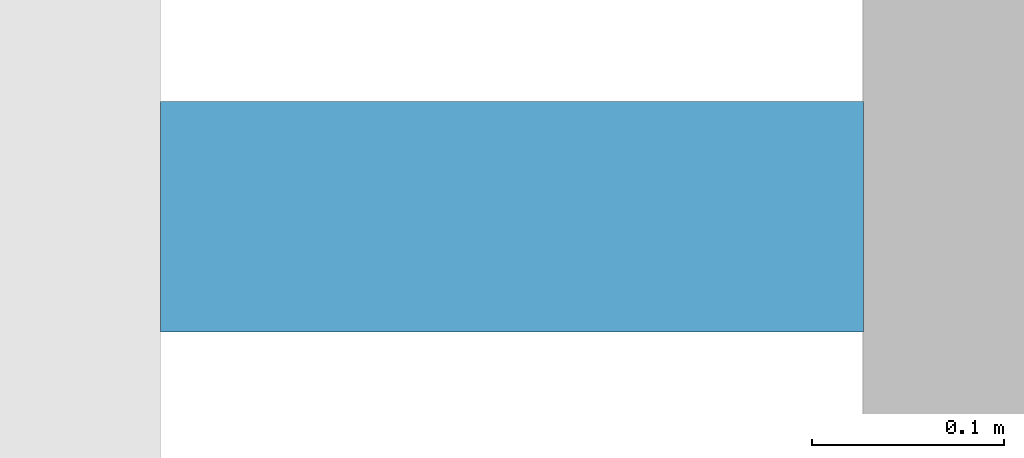
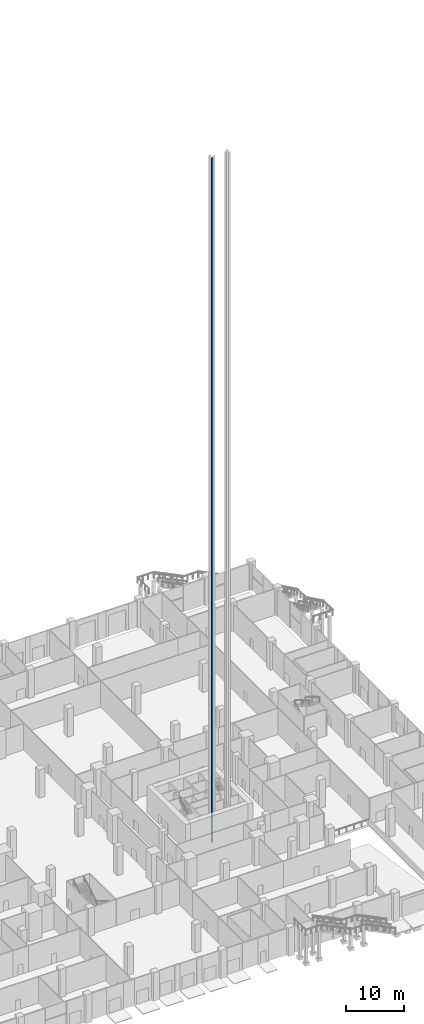
# One storey, part 52 of 68: 1 discrete accessory.
"""IFC4 building model written with IfcOpenShell, lengths in metres."""

import ifcopenshell
import ifcopenshell.guid

model = None  # the IFC model being written
_history = None  # IfcOwnerHistory: only IFC2X3 demands one
_inside = {}  # id of a spatial element -> (the spatial element, [elements in it])
_under = {}  # id of a project, library or spatial element -> (it, [spatial elements below it])
_declared = {}  # id of a project -> (the project, [libraries it declares])
_typed = {}  # id of a type object -> (the type object, [elements of that type])
_made_of = {}  # id of a material, layer set ... -> (it, [elements and type objects made of it])


def new_model(schema):
    """Start an empty IFC model of exactly this schema.

    Asked for "IFC4X3", IfcOpenShell would pick the latest addendum, in which some entities
    have other attributes; the version numbers below select the first issue.
    IFC2X3 requires an IfcOwnerHistory on every rooted entity: one is made here for all.
    """
    global model, _history
    if schema == "IFC4X3":
        model = ifcopenshell.file(schema_version=(4, 3, 0, 0))
    else:
        model = ifcopenshell.file(schema=schema)
    _inside.clear()
    _under.clear()
    _declared.clear()
    _typed.clear()
    _made_of.clear()
    _history = None
    if model.schema == "IFC2X3":
        org = make("IfcOrganization", Name="unknown")
        user = make(
            "IfcPersonAndOrganization",
            ThePerson=make("IfcPerson", FamilyName="unknown"),
            TheOrganization=org,
        )
        app = make(
            "IfcApplication",
            ApplicationDeveloper=org,
            Version="unknown",
            ApplicationFullName="unknown",
            ApplicationIdentifier="unknown",
        )
        _history = make(
            "IfcOwnerHistory",
            OwningUser=user,
            OwningApplication=app,
            ChangeAction="ADDED",
            CreationDate=0,
        )
    return model


def make(cls, **values):
    """One entity of the class cls with the attributes given. An attribute that is None is left unset."""
    return model.create_entity(
        cls, **{name: value for name, value in values.items() if value is not None}
    )


def rooted(cls, **values):
    """An entity with a GlobalId (a new one), such as an element, a storey or a relation."""
    return make(cls, GlobalId=ifcopenshell.guid.new(), OwnerHistory=_history, **values)


def si_unit(unit_type, name, prefix=None):
    """IfcSIUnit, for example si_unit("LENGTHUNIT", "METRE", prefix="MILLI")."""
    return make("IfcSIUnit", UnitType=unit_type, Prefix=prefix, Name=name)


def assignment(units):
    """IfcUnitAssignment: the units of a project."""
    return None if units is None else make("IfcUnitAssignment", Units=units)


def point(xyz):
    """IfcCartesianPoint."""
    return None if xyz is None else make("IfcCartesianPoint", Coordinates=xyz)


def direction(xyz):
    """IfcDirection."""
    return None if xyz is None else make("IfcDirection", DirectionRatios=xyz)


def frame(location, z_axis=None, x_axis=None):
    """IfcAxis2Placement3D, a coordinate frame: its origin and axes. An axis left out is left unset."""
    return make(
        "IfcAxis2Placement3D",
        Location=point(location),
        Axis=direction(z_axis),
        RefDirection=direction(x_axis),
    )


def frame_2d(location, x_axis=None):
    """IfcAxis2Placement2D, a coordinate frame in the plane: its origin and x axis."""
    return make(
        "IfcAxis2Placement2D", Location=point(location), RefDirection=direction(x_axis)
    )


def origin():
    """The frame at (0, 0, 0) with its axes left unset."""
    return frame((0.0, 0.0, 0.0))


def origin_2d():
    """The frame at (0, 0) in the plane with its x axis left unset."""
    return frame_2d((0.0, 0.0))


def place(relative_to, where):
    """IfcLocalPlacement: puts the frame where relative to a parent placement (None: the world)."""
    return make(
        "IfcLocalPlacement", PlacementRelTo=relative_to, RelativePlacement=where
    )


def context(
    kind, dimensions, precision=None, world=None, true_north=None, identifier=None
):
    """IfcGeometricRepresentationContext, for example the 3D "Model" context."""
    return make(
        "IfcGeometricRepresentationContext",
        ContextIdentifier=identifier,
        ContextType=kind,
        CoordinateSpaceDimension=dimensions,
        Precision=precision,
        WorldCoordinateSystem=world,
        TrueNorth=true_north,
    )


def subcontext(parent, identifier, kind, view, scale=None):
    """IfcGeometricRepresentationSubContext, for example "Body" below "Model"."""
    return make(
        "IfcGeometricRepresentationSubContext",
        ContextIdentifier=identifier,
        ContextType=kind,
        ParentContext=parent,
        TargetScale=scale,
        TargetView=view,
    )


def project(units=None, contexts=None):
    """IfcProject with its units and contexts."""
    return rooted(
        "IfcProject",
        Name="project",
        RepresentationContexts=contexts,
        UnitsInContext=assignment(units),
    )


def spatial(cls, under=None, at=None, **own):
    """A site, building, storey or space (cls), placed at a placement, below another one or the project."""
    s = rooted(cls, ObjectPlacement=at, **own)
    if under is not None:
        _under.setdefault(under.id(), (under, []))[1].append(s)
    return s


def profile(cls, at=None, kind="AREA", **sizes):
    """A parametric profile (cls). Its sizes go by their IFC names, for example OverallWidth=200.0."""
    return make(cls, ProfileType=kind, Position=at, **sizes)


def rectangle(**sizes):
    """IfcRectangleProfileDef."""
    return profile("IfcRectangleProfileDef", **sizes)


def extrude(swept, where, along, depth):
    """IfcExtrudedAreaSolid: the profile swept, set in the frame where, extruded along a direction by depth."""
    return make(
        "IfcExtrudedAreaSolid",
        SweptArea=swept,
        Position=where,
        ExtrudedDirection=direction(along),
        Depth=depth,
    )


def shape(context_of_items, identifier, shape_type, items):
    """IfcShapeRepresentation: the items that make up one representation, for example the "Body"."""
    return make(
        "IfcShapeRepresentation",
        ContextOfItems=context_of_items,
        RepresentationIdentifier=identifier,
        RepresentationType=shape_type,
        Items=items,
    )


def made_of(thing, what):
    """Note that an element or type object is made of a material, layer set ...; save() writes the relation."""
    if what is not None:
        _made_of.setdefault(what.id(), (what, []))[1].append(thing)
    return thing


def element(
    cls,
    number,
    at=None,
    inside=None,
    cuts=None,
    type_object=None,
    material=None,
    context=None,
    identifier="Body",
    shape_type=None,
    held_by="IfcProductDefinitionShape",
    body=None,
    shapes=None,
    **own,
):
    """One element of the class cls, such as IfcWall. Its Tag is "e" and its number.

    at: its placement. inside: the storey or other place that contains it. cuts: it is an
    opening in that element (IfcRelVoidsElement). A single representation is given by context,
    identifier, shape_type and body (its items); several are given by shapes. held_by: the class
    of the entity that holds the representations. save() writes the other relations.
    """
    e = rooted(cls, Tag="e%d" % number, ObjectPlacement=at, **own)
    if body is not None:
        shapes = [shape(context, identifier, shape_type, body)]
    if shapes is not None:
        e.Representation = make(held_by, Representations=shapes)
    if inside is not None:
        _inside.setdefault(inside.id(), (inside, []))[1].append(e)
    if cuts is not None:
        rooted(
            "IfcRelVoidsElement", RelatingBuildingElement=cuts, RelatedOpeningElement=e
        )
    if type_object is not None:
        _typed.setdefault(type_object.id(), (type_object, []))[1].append(e)
    return made_of(e, material)


def aggregate(whole, parts):
    """IfcRelAggregates: a whole, such as a stair, and the parts it consists of."""
    return rooted("IfcRelAggregates", RelatingObject=whole, RelatedObjects=parts)


def save(model, path):
    """Write the relations noted so far, then the file.

    IfcRelAggregates (storeys below a building ...), IfcRelContainedInSpatialStructure (elements
    in a storey), IfcRelDefinesByType, IfcRelAssociatesMaterial and IfcRelDeclares: one each for
    every whole, place, type object, material and project.
    """
    for whole, parts in _under.values():
        aggregate(whole, parts)
    for where, things in _inside.values():
        rooted(
            "IfcRelContainedInSpatialStructure",
            RelatedElements=things,
            RelatingStructure=where,
        )
    for kind, things in _typed.values():
        rooted("IfcRelDefinesByType", RelatedObjects=things, RelatingType=kind)
    for what, things in _made_of.values():
        rooted("IfcRelAssociatesMaterial", RelatedObjects=things, RelatingMaterial=what)
    for by, libraries in _declared.values():
        rooted("IfcRelDeclares", RelatingContext=by, RelatedDefinitions=libraries)
    model.write(path)


model = new_model("IFC4")

# Units and contexts
model_context = context("Model", 3, precision=1e-05, world=origin(), true_north=direction((0.0, 1.0)))
body_context = subcontext(model_context, "Body", "Model", "MODEL_VIEW")
ifc_project = project(units=[si_unit("LENGTHUNIT", "METRE"), si_unit("AREAUNIT", "SQUARE_METRE"), si_unit("VOLUMEUNIT", "CUBIC_METRE"), si_unit("PLANEANGLEUNIT", "RADIAN"), si_unit("MASSUNIT", "GRAM", prefix="KILO")], contexts=[model_context])

# Site, building, storey
site_placement = place(None, origin())
site = spatial("IfcSite", under=ifc_project, at=site_placement, CompositionType="ELEMENT")
building_placement = place(site_placement, origin())
building = spatial("IfcBuilding", under=site, at=building_placement, Name="Altepetl Exchange Towers", CompositionType="ELEMENT")
storey_placement = place(building_placement, origin())
storey = spatial("IfcBuildingStorey", under=building, at=storey_placement, Name="L00 Ground concourse", CompositionType="ELEMENT", Elevation=0.0)

# Discrete accessory
discrete_accessory_placement = place(storey_placement, frame((109.85009765625, 37.89990234375, -1.60009765625)))
element("IfcDiscreteAccessory", 1, at=discrete_accessory_placement, inside=storey, Name="Guide rail P1", ObjectType="GUIDE RAIL", PredefinedType="USERDEFINED", context=body_context, shape_type="SweptSolid", body=[
    extrude(rectangle(XDim=0.36669921875, YDim=0.1201171875, at=origin_2d()), origin(), (0.0, 0.0, 1.0), 144.85009765625),
])

save(model, "model.ifc")
